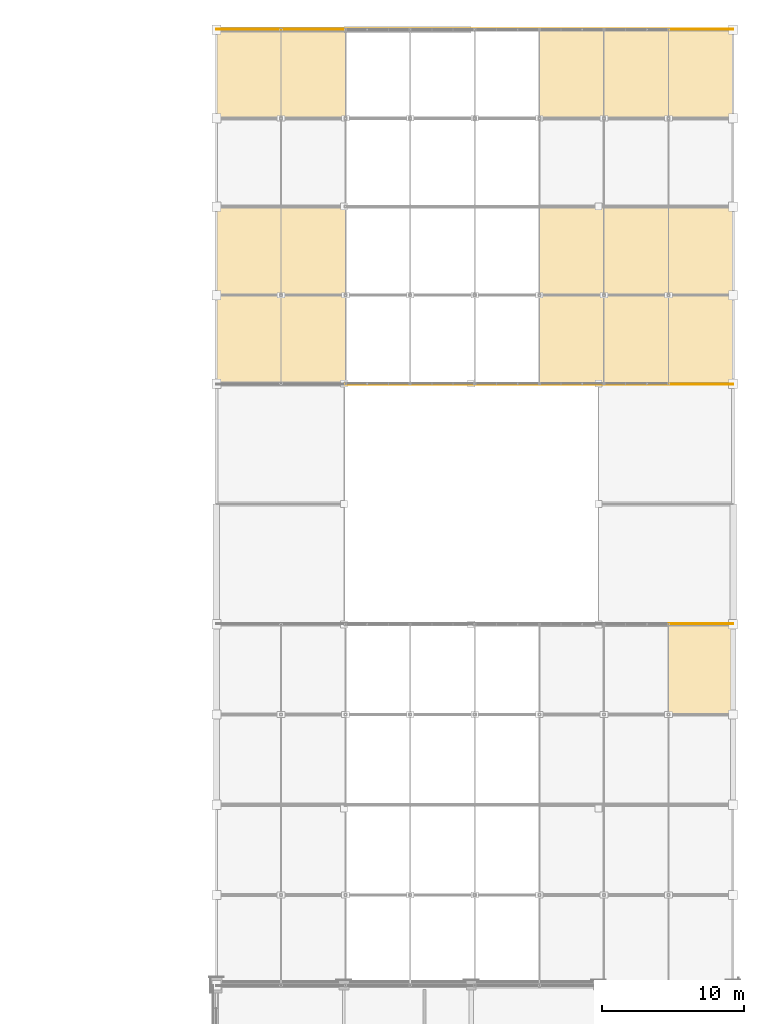
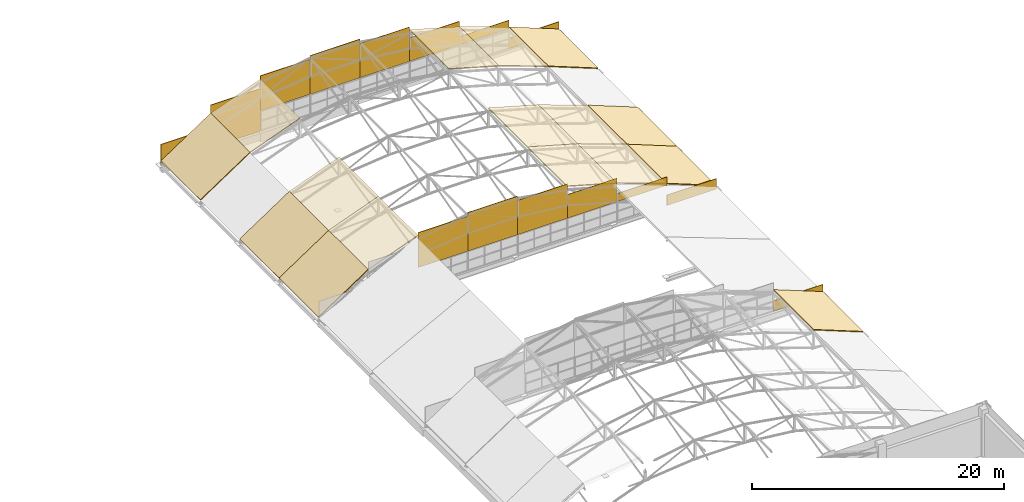
# One storey, part 101 of 101: 31 coverings.
"""IFC4 building model written with IfcOpenShell, lengths in metres."""

import ifcopenshell
import ifcopenshell.guid

model = None  # the IFC model being written
_history = None  # IfcOwnerHistory: only IFC2X3 demands one
_inside = {}  # id of a spatial element -> (the spatial element, [elements in it])
_under = {}  # id of a project, library or spatial element -> (it, [spatial elements below it])
_declared = {}  # id of a project -> (the project, [libraries it declares])
_typed = {}  # id of a type object -> (the type object, [elements of that type])
_made_of = {}  # id of a material, layer set ... -> (it, [elements and type objects made of it])


def new_model(schema):
    """Start an empty IFC model of exactly this schema.

    Asked for "IFC4X3", IfcOpenShell would pick the latest addendum, in which some entities
    have other attributes; the version numbers below select the first issue.
    IFC2X3 requires an IfcOwnerHistory on every rooted entity: one is made here for all.
    """
    global model, _history
    if schema == "IFC4X3":
        model = ifcopenshell.file(schema_version=(4, 3, 0, 0))
    else:
        model = ifcopenshell.file(schema=schema)
    _inside.clear()
    _under.clear()
    _declared.clear()
    _typed.clear()
    _made_of.clear()
    _history = None
    if model.schema == "IFC2X3":
        org = make("IfcOrganization", Name="unknown")
        user = make(
            "IfcPersonAndOrganization",
            ThePerson=make("IfcPerson", FamilyName="unknown"),
            TheOrganization=org,
        )
        app = make(
            "IfcApplication",
            ApplicationDeveloper=org,
            Version="unknown",
            ApplicationFullName="unknown",
            ApplicationIdentifier="unknown",
        )
        _history = make(
            "IfcOwnerHistory",
            OwningUser=user,
            OwningApplication=app,
            ChangeAction="ADDED",
            CreationDate=0,
        )
    return model


def make(cls, **values):
    """One entity of the class cls with the attributes given. An attribute that is None is left unset."""
    return model.create_entity(
        cls, **{name: value for name, value in values.items() if value is not None}
    )


def rooted(cls, **values):
    """An entity with a GlobalId (a new one), such as an element, a storey or a relation."""
    return make(cls, GlobalId=ifcopenshell.guid.new(), OwnerHistory=_history, **values)


def si_unit(unit_type, name, prefix=None):
    """IfcSIUnit, for example si_unit("LENGTHUNIT", "METRE", prefix="MILLI")."""
    return make("IfcSIUnit", UnitType=unit_type, Prefix=prefix, Name=name)


def assignment(units):
    """IfcUnitAssignment: the units of a project."""
    return None if units is None else make("IfcUnitAssignment", Units=units)


def point(xyz):
    """IfcCartesianPoint."""
    return None if xyz is None else make("IfcCartesianPoint", Coordinates=xyz)


def direction(xyz):
    """IfcDirection."""
    return None if xyz is None else make("IfcDirection", DirectionRatios=xyz)


def frame(location, z_axis=None, x_axis=None):
    """IfcAxis2Placement3D, a coordinate frame: its origin and axes. An axis left out is left unset."""
    return make(
        "IfcAxis2Placement3D",
        Location=point(location),
        Axis=direction(z_axis),
        RefDirection=direction(x_axis),
    )


def frame_2d(location, x_axis=None):
    """IfcAxis2Placement2D, a coordinate frame in the plane: its origin and x axis."""
    return make(
        "IfcAxis2Placement2D", Location=point(location), RefDirection=direction(x_axis)
    )


def origin():
    """The frame at (0, 0, 0) with its axes left unset."""
    return frame((0.0, 0.0, 0.0))


def origin_2d():
    """The frame at (0, 0) in the plane with its x axis left unset."""
    return frame_2d((0.0, 0.0))


def place(relative_to, where):
    """IfcLocalPlacement: puts the frame where relative to a parent placement (None: the world)."""
    return make(
        "IfcLocalPlacement", PlacementRelTo=relative_to, RelativePlacement=where
    )


def context(
    kind, dimensions, precision=None, world=None, true_north=None, identifier=None
):
    """IfcGeometricRepresentationContext, for example the 3D "Model" context."""
    return make(
        "IfcGeometricRepresentationContext",
        ContextIdentifier=identifier,
        ContextType=kind,
        CoordinateSpaceDimension=dimensions,
        Precision=precision,
        WorldCoordinateSystem=world,
        TrueNorth=true_north,
    )


def subcontext(parent, identifier, kind, view, scale=None):
    """IfcGeometricRepresentationSubContext, for example "Body" below "Model"."""
    return make(
        "IfcGeometricRepresentationSubContext",
        ContextIdentifier=identifier,
        ContextType=kind,
        ParentContext=parent,
        TargetScale=scale,
        TargetView=view,
    )


def project(units=None, contexts=None):
    """IfcProject with its units and contexts."""
    return rooted(
        "IfcProject",
        Name="project",
        RepresentationContexts=contexts,
        UnitsInContext=assignment(units),
    )


def spatial(cls, under=None, at=None, **own):
    """A site, building, storey or space (cls), placed at a placement, below another one or the project."""
    s = rooted(cls, ObjectPlacement=at, **own)
    if under is not None:
        _under.setdefault(under.id(), (under, []))[1].append(s)
    return s


def polyline(points):
    """IfcPolyline through the points."""
    return make("IfcPolyline", Points=[point(p) for p in points])


def profile(cls, at=None, kind="AREA", **sizes):
    """A parametric profile (cls). Its sizes go by their IFC names, for example OverallWidth=200.0."""
    return make(cls, ProfileType=kind, Position=at, **sizes)


def rectangle(**sizes):
    """IfcRectangleProfileDef."""
    return profile("IfcRectangleProfileDef", **sizes)


def outline(outer, holes=None, kind="AREA"):
    """IfcArbitraryClosedProfileDef: a profile drawn as a closed curve; with holes, ...WithVoids."""
    if holes is None:
        return make("IfcArbitraryClosedProfileDef", ProfileType=kind, OuterCurve=outer)
    return make(
        "IfcArbitraryProfileDefWithVoids",
        ProfileType=kind,
        OuterCurve=outer,
        InnerCurves=holes,
    )


def extrude(swept, where, along, depth):
    """IfcExtrudedAreaSolid: the profile swept, set in the frame where, extruded along a direction by depth."""
    return make(
        "IfcExtrudedAreaSolid",
        SweptArea=swept,
        Position=where,
        ExtrudedDirection=direction(along),
        Depth=depth,
    )


def shape(context_of_items, identifier, shape_type, items):
    """IfcShapeRepresentation: the items that make up one representation, for example the "Body"."""
    return make(
        "IfcShapeRepresentation",
        ContextOfItems=context_of_items,
        RepresentationIdentifier=identifier,
        RepresentationType=shape_type,
        Items=items,
    )


def material(Name=None, Category=None):
    """IfcMaterial."""
    return make("IfcMaterial", Name=Name, Category=Category)


def layer(
    of_material, thickness, ventilated=None, Name=None, Category=None, Priority=None
):
    """IfcMaterialLayer: one layer of a wall or slab, of a material (None: an air gap)."""
    return make(
        "IfcMaterialLayer",
        Material=of_material,
        LayerThickness=thickness,
        IsVentilated=ventilated,
        Name=Name,
        Category=Category,
        Priority=Priority,
    )


def layer_set(layers, Name=None):
    """IfcMaterialLayerSet."""
    return make("IfcMaterialLayerSet", MaterialLayers=layers, LayerSetName=Name)


def made_of(thing, what):
    """Note that an element or type object is made of a material, layer set ...; save() writes the relation."""
    if what is not None:
        _made_of.setdefault(what.id(), (what, []))[1].append(thing)
    return thing


def type_object(cls, material=None, **own):
    """A type object (cls), such as IfcWallType, which elements share."""
    return made_of(rooted(cls, **own), material)


def element(
    cls,
    number,
    at=None,
    inside=None,
    cuts=None,
    type_object=None,
    material=None,
    context=None,
    identifier="Body",
    shape_type=None,
    held_by="IfcProductDefinitionShape",
    body=None,
    shapes=None,
    **own,
):
    """One element of the class cls, such as IfcWall. Its Tag is "e" and its number.

    at: its placement. inside: the storey or other place that contains it. cuts: it is an
    opening in that element (IfcRelVoidsElement). A single representation is given by context,
    identifier, shape_type and body (its items); several are given by shapes. held_by: the class
    of the entity that holds the representations. save() writes the other relations.
    """
    e = rooted(cls, Tag="e%d" % number, ObjectPlacement=at, **own)
    if body is not None:
        shapes = [shape(context, identifier, shape_type, body)]
    if shapes is not None:
        e.Representation = make(held_by, Representations=shapes)
    if inside is not None:
        _inside.setdefault(inside.id(), (inside, []))[1].append(e)
    if cuts is not None:
        rooted(
            "IfcRelVoidsElement", RelatingBuildingElement=cuts, RelatedOpeningElement=e
        )
    if type_object is not None:
        _typed.setdefault(type_object.id(), (type_object, []))[1].append(e)
    return made_of(e, material)


def aggregate(whole, parts):
    """IfcRelAggregates: a whole, such as a stair, and the parts it consists of."""
    return rooted("IfcRelAggregates", RelatingObject=whole, RelatedObjects=parts)


def save(model, path):
    """Write the relations noted so far, then the file.

    IfcRelAggregates (storeys below a building ...), IfcRelContainedInSpatialStructure (elements
    in a storey), IfcRelDefinesByType, IfcRelAssociatesMaterial and IfcRelDeclares: one each for
    every whole, place, type object, material and project.
    """
    for whole, parts in _under.values():
        aggregate(whole, parts)
    for where, things in _inside.values():
        rooted(
            "IfcRelContainedInSpatialStructure",
            RelatedElements=things,
            RelatingStructure=where,
        )
    for kind, things in _typed.values():
        rooted("IfcRelDefinesByType", RelatedObjects=things, RelatingType=kind)
    for what, things in _made_of.values():
        rooted("IfcRelAssociatesMaterial", RelatedObjects=things, RelatingMaterial=what)
    for by, libraries in _declared.values():
        rooted("IfcRelDeclares", RelatingContext=by, RelatedDefinitions=libraries)
    model.write(path)


model = new_model("IFC4")

# Units and contexts
model_context = context("Model", 3, precision=1e-05, world=origin(), true_north=direction((0.0, 1.0)))
body_context = subcontext(model_context, "Body", "Model", "MODEL_VIEW")
ifc_project = project(units=[si_unit("LENGTHUNIT", "METRE"), si_unit("AREAUNIT", "SQUARE_METRE"), si_unit("VOLUMEUNIT", "CUBIC_METRE"), si_unit("PLANEANGLEUNIT", "RADIAN"), si_unit("MASSUNIT", "GRAM", prefix="KILO")], contexts=[model_context])

# Site, building, storey
site_placement = place(None, origin())
site = spatial("IfcSite", under=ifc_project, at=site_placement, CompositionType="ELEMENT")
building_placement = place(site_placement, origin())
building = spatial("IfcBuilding", under=site, at=building_placement, Name="Solvikara Media Centre", CompositionType="ELEMENT")
storey_placement = place(building_placement, frame((0.0, 0.0, 10.199951171875)))
storey = spatial("IfcBuildingStorey", under=building, at=storey_placement, Name="L02", CompositionType="ELEMENT", Elevation=10.199951171875)

# Coverings
ifc_material_1 = material(Name="Insulated standing-seam aluminium-zinc acoustic roofing", Category="aluminium")
ifc_layer_1 = layer(ifc_material_1, 0.080078125)
ifc_layer_set_1 = layer_set([ifc_layer_1], Name="Insulated standing-seam aluminium-zinc acoustic roofing")
covering_type_1 = type_object("IfcCoveringType", Name="CV-03", PredefinedType="ROOFING", material=ifc_layer_set_1)
covering_1_placement = place(storey_placement, frame((159.43798828125, 65.625, 2.072021484375), z_axis=(0.365612303173, 0.0, 0.930767233936), x_axis=(0.930767233936, 0.0, -0.365612303173)))
element("IfcCovering", 1, at=covering_1_placement, inside=storey, type_object=covering_type_1, Name="CV-BSA-03-07", PredefinedType="ROOFING", context=body_context, shape_type="SweptSolid", body=[
    extrude(outline(polyline([(0.0, 0.0), (4.901345419583624, 0.0), (4.901345419583624, 6.375), (0.0, 6.375), (0.0, 0.0)])), origin(), (0.0, 0.0, -1.0), 0.080078125),
])
covering_2_placement = place(storey_placement, frame((127.5, 89.0, 0.280029296875), z_axis=(-0.552774199912, 0.0, 0.833331077011), x_axis=(0.833331077011, 0.0, 0.552774199912)))
element("IfcCovering", 2, at=covering_2_placement, inside=storey, type_object=covering_type_1, Name="CV-BSB-00-00", PredefinedType="ROOFING", context=body_context, shape_type="SweptSolid", body=[
    extrude(outline(polyline([(0.0, 0.0), (5.474428884992513, 0.0), (5.474428884992513, 6.250000000000002), (0.0, 6.250000000000002), (0.0, 0.0)])), origin(), (0.0, 0.0, -1.0), 0.080078125),
])
covering_3_placement = place(storey_placement, frame((132.06201171875, 89.0, 3.30615234375), z_axis=(-0.350914788699, 0.0, 0.936407395887), x_axis=(0.936407395887, 0.0, 0.350914788699)))
element("IfcCovering", 3, at=covering_3_placement, inside=storey, type_object=covering_type_1, Name="CV-BSB-00-01", PredefinedType="ROOFING", context=body_context, shape_type="SweptSolid", body=[
    extrude(outline(polyline([(0.0, 0.0), (4.872866554975697, 0.0), (4.872866554975697, 6.25), (0.0, 6.25), (0.0, 0.0)])), origin(), (0.0, 0.0, -1.0), 0.080078125),
])
covering_4_placement = place(storey_placement, frame((150.31201171875, 89.0, 5.007080078125), z_axis=(0.272626398556, 0.0, 0.962119975268), x_axis=(0.962119975268, 0.0, -0.272626398556)))
element("IfcCovering", 4, at=covering_4_placement, inside=storey, type_object=covering_type_1, Name="CV-BSB-00-05", PredefinedType="ROOFING", context=body_context, shape_type="SweptSolid", body=[
    extrude(outline(polyline([(0.0, 0.0), (4.7426395860640085, 0.0), (4.7426395860640085, 6.25), (0.0, 6.25), (0.0, 0.0)])), origin(), (0.0, 0.0, -1.0), 0.080078125),
])
covering_5_placement = place(storey_placement, frame((154.875, 89.0, 3.714111328125), z_axis=(0.338612503303, 0.0, 0.94092591239), x_axis=(0.94092591239, 0.0, -0.338612503303)))
element("IfcCovering", 5, at=covering_5_placement, inside=storey, type_object=covering_type_1, Name="CV-BSB-00-06", PredefinedType="ROOFING", context=body_context, shape_type="SweptSolid", body=[
    extrude(outline(polyline([(0.0, 0.0), (4.849466064400464, 0.0), (4.849466064400464, 6.25), (0.0, 6.25), (0.0, 0.0)])), origin(), (0.0, 0.0, -1.0), 0.080078125),
])
covering_6_placement = place(storey_placement, frame((159.43798828125, 89.0, 2.072021484375), z_axis=(0.365612303173, 0.0, 0.930767233936), x_axis=(0.930767233936, 0.0, -0.365612303173)))
element("IfcCovering", 6, at=covering_6_placement, inside=storey, type_object=covering_type_1, Name="CV-BSB-00-07", PredefinedType="ROOFING", context=body_context, shape_type="SweptSolid", body=[
    extrude(outline(polyline([(0.0, 0.0), (4.901345419583624, 0.0), (4.901345419583624, 6.25), (0.0, 6.25), (0.0, 0.0)])), origin(), (0.0, 0.0, -1.0), 0.080078125),
])
covering_7_placement = place(storey_placement, frame((127.5, 95.25, 0.280029296875), z_axis=(-0.552774199912, 0.0, 0.833331077011), x_axis=(0.833331077011, 0.0, 0.552774199912)))
element("IfcCovering", 7, at=covering_7_placement, inside=storey, type_object=covering_type_1, Name="CV-BSB-01-00", PredefinedType="ROOFING", context=body_context, shape_type="SweptSolid", body=[
    extrude(outline(polyline([(0.0, 0.0), (5.474428884992513, 0.0), (5.474428884992513, 6.250000000000002), (0.0, 6.250000000000002), (0.0, 0.0)])), origin(), (0.0, 0.0, -1.0), 0.080078125),
])
covering_8_placement = place(storey_placement, frame((132.06201171875, 95.25, 3.30615234375), z_axis=(-0.350914788699, 0.0, 0.936407395887), x_axis=(0.936407395887, 0.0, 0.350914788699)))
element("IfcCovering", 8, at=covering_8_placement, inside=storey, type_object=covering_type_1, Name="CV-BSB-01-01", PredefinedType="ROOFING", context=body_context, shape_type="SweptSolid", body=[
    extrude(outline(polyline([(0.0, 0.0), (4.872866554975697, 0.0), (4.872866554975697, 6.25), (0.0, 6.25), (0.0, 0.0)])), origin(), (0.0, 0.0, -1.0), 0.080078125),
])
covering_9_placement = place(storey_placement, frame((150.31201171875, 95.25, 5.007080078125), z_axis=(0.272626398556, 0.0, 0.962119975268), x_axis=(0.962119975268, 0.0, -0.272626398556)))
element("IfcCovering", 9, at=covering_9_placement, inside=storey, type_object=covering_type_1, Name="CV-BSB-01-05", PredefinedType="ROOFING", context=body_context, shape_type="SweptSolid", body=[
    extrude(outline(polyline([(0.0, 0.0), (4.7426395860640085, 0.0), (4.7426395860640085, 6.25), (0.0, 6.25), (0.0, 0.0)])), origin(), (0.0, 0.0, -1.0), 0.080078125),
])
covering_10_placement = place(storey_placement, frame((154.875, 95.25, 3.714111328125), z_axis=(0.338612503303, 0.0, 0.94092591239), x_axis=(0.94092591239, 0.0, -0.338612503303)))
element("IfcCovering", 10, at=covering_10_placement, inside=storey, type_object=covering_type_1, Name="CV-BSB-01-06", PredefinedType="ROOFING", context=body_context, shape_type="SweptSolid", body=[
    extrude(outline(polyline([(0.0, 0.0), (4.849466064400464, 0.0), (4.849466064400464, 6.25), (0.0, 6.25), (0.0, 0.0)])), origin(), (0.0, 0.0, -1.0), 0.080078125),
])
covering_11_placement = place(storey_placement, frame((159.43798828125, 95.25, 2.072021484375), z_axis=(0.365612303173, 0.0, 0.930767233936), x_axis=(0.930767233936, 0.0, -0.365612303173)))
element("IfcCovering", 11, at=covering_11_placement, inside=storey, type_object=covering_type_1, Name="CV-BSB-01-07", PredefinedType="ROOFING", context=body_context, shape_type="SweptSolid", body=[
    extrude(outline(polyline([(0.0, 0.0), (4.901345419583624, 0.0), (4.901345419583624, 6.25), (0.0, 6.25), (0.0, 0.0)])), origin(), (0.0, 0.0, -1.0), 0.080078125),
])
covering_12_placement = place(storey_placement, frame((127.5, 107.75, 0.280029296875), z_axis=(-0.552774199912, 0.0, 0.833331077011), x_axis=(0.833331077011, 0.0, 0.552774199912)))
element("IfcCovering", 12, at=covering_12_placement, inside=storey, type_object=covering_type_1, Name="CV-BSB-03-00", PredefinedType="ROOFING", context=body_context, shape_type="SweptSolid", body=[
    extrude(outline(polyline([(0.0, 0.0), (5.474428884992513, 0.0), (5.474428884992513, 6.250000000000002), (0.0, 6.250000000000002), (0.0, 0.0)])), origin(), (0.0, 0.0, -1.0), 0.080078125),
])
covering_13_placement = place(storey_placement, frame((132.06201171875, 107.75, 3.30615234375), z_axis=(-0.350914788699, 0.0, 0.936407395887), x_axis=(0.936407395887, 0.0, 0.350914788699)))
element("IfcCovering", 13, at=covering_13_placement, inside=storey, type_object=covering_type_1, Name="CV-BSB-03-01", PredefinedType="ROOFING", context=body_context, shape_type="SweptSolid", body=[
    extrude(outline(polyline([(0.0, 0.0), (4.872866554975697, 0.0), (4.872866554975697, 6.25), (0.0, 6.25), (0.0, 0.0)])), origin(), (0.0, 0.0, -1.0), 0.080078125),
])
covering_14_placement = place(storey_placement, frame((150.31201171875, 107.75, 5.007080078125), z_axis=(0.272626398556, 0.0, 0.962119975268), x_axis=(0.962119975268, 0.0, -0.272626398556)))
element("IfcCovering", 14, at=covering_14_placement, inside=storey, type_object=covering_type_1, Name="CV-BSB-03-05", PredefinedType="ROOFING", context=body_context, shape_type="SweptSolid", body=[
    extrude(outline(polyline([(0.0, 0.0), (4.7426395860640085, 0.0), (4.7426395860640085, 6.25), (0.0, 6.25), (0.0, 0.0)])), origin(), (0.0, 0.0, -1.0), 0.080078125),
])
covering_15_placement = place(storey_placement, frame((154.875, 107.75, 3.714111328125), z_axis=(0.338612503303, 0.0, 0.94092591239), x_axis=(0.94092591239, 0.0, -0.338612503303)))
element("IfcCovering", 15, at=covering_15_placement, inside=storey, type_object=covering_type_1, Name="CV-BSB-03-06", PredefinedType="ROOFING", context=body_context, shape_type="SweptSolid", body=[
    extrude(outline(polyline([(0.0, 0.0), (4.849466064400464, 0.0), (4.849466064400464, 6.25), (0.0, 6.25), (0.0, 0.0)])), origin(), (0.0, 0.0, -1.0), 0.080078125),
])
covering_16_placement = place(storey_placement, frame((159.43798828125, 107.75, 2.072021484375), z_axis=(0.365612303173, 0.0, 0.930767233936), x_axis=(0.930767233936, 0.0, -0.365612303173)))
element("IfcCovering", 16, at=covering_16_placement, inside=storey, type_object=covering_type_1, Name="CV-BSB-03-07", PredefinedType="ROOFING", context=body_context, shape_type="SweptSolid", body=[
    extrude(outline(polyline([(0.0, 0.0), (4.901345419583624, 0.0), (4.901345419583624, 6.25), (0.0, 6.25), (0.0, 0.0)])), origin(), (0.0, 0.0, -1.0), 0.080078125),
])
ifc_material_2 = material(Name="GFRC white mineral architectural rainscreen panel")
ifc_layer_2 = layer(ifc_material_2, 0.050048828125)
ifc_layer_set_2 = layer_set([ifc_layer_2], Name="GFRC white mineral architectural rainscreen panel")
covering_type_2 = type_object("IfcCoveringType", Name="CV-04", PredefinedType="CLADDING", material=ifc_layer_set_2)
covering_17_placement = place(storey_placement, frame((161.718994140625, 72.0400390625, -0.04931640625), z_axis=(0.0, 0.0, 1.0), x_axis=(1.0, 0.0, 0.0)))
element("IfcCovering", 17, at=covering_17_placement, inside=storey, type_object=covering_type_2, Name="TYM-BSAN-07", PredefinedType="CLADDING", context=body_context, shape_type="SweptSolid", body=[
    extrude(rectangle(XDim=4.56201171875, YDim=0.050048828125, at=origin_2d()), origin(), (0.0, 0.0, 1.0), 1.012939453125),
])
covering_18_placement = place(storey_placement, frame((138.906005859375, 88.9599609375, 1.920166015625), z_axis=(0.0, 0.0, 1.0), x_axis=(1.0, 0.0, 0.0)))
element("IfcCovering", 18, at=covering_18_placement, inside=storey, type_object=covering_type_2, Name="TYM-BSBS-02", PredefinedType="CLADDING", context=body_context, shape_type="SweptSolid", body=[
    extrude(rectangle(XDim=4.56298828125, YDim=0.050048828125, at=origin_2d()), origin(), (0.0, 0.0, 1.0), 3.3798828125),
])
covering_19_placement = place(storey_placement, frame((143.468994140625, 88.9599609375, 1.919921875), z_axis=(0.0, 0.0, 1.0), x_axis=(1.0, 0.0, 0.0)))
element("IfcCovering", 19, at=covering_19_placement, inside=storey, type_object=covering_type_2, Name="TYM-BSBS-03", PredefinedType="CLADDING", context=body_context, shape_type="SweptSolid", body=[
    extrude(rectangle(XDim=4.56201171875, YDim=0.050048828125, at=origin_2d()), origin(), (0.0, 0.0, 1.0), 3.738037109375),
])
covering_20_placement = place(storey_placement, frame((148.031005859375, 88.9599609375, 1.91943359375), z_axis=(0.0, 0.0, 1.0), x_axis=(1.0, 0.0, 0.0)))
element("IfcCovering", 20, at=covering_20_placement, inside=storey, type_object=covering_type_2, Name="TYM-BSBS-04", PredefinedType="CLADDING", context=body_context, shape_type="SweptSolid", body=[
    extrude(rectangle(XDim=4.56201171875, YDim=0.050048828125, at=origin_2d()), origin(), (0.0, 0.0, 1.0), 3.321044921875),
])
covering_21_placement = place(storey_placement, frame((152.593994140625, 88.9599609375, 1.920166015625), z_axis=(0.0, 0.0, 1.0), x_axis=(1.0, 0.0, 0.0)))
element("IfcCovering", 21, at=covering_21_placement, inside=storey, type_object=covering_type_2, Name="TYM-BSBS-05", PredefinedType="CLADDING", context=body_context, shape_type="SweptSolid", body=[
    extrude(rectangle(XDim=4.56298828125, YDim=0.050048828125, at=origin_2d()), origin(), (0.0, 0.0, 1.0), 2.27587890625),
])
covering_22_placement = place(storey_placement, frame((157.156005859375, 88.9599609375, 1.91943359375), z_axis=(0.0, 0.0, 1.0), x_axis=(1.0, 0.0, 0.0)))
element("IfcCovering", 22, at=covering_22_placement, inside=storey, type_object=covering_type_2, Name="TYM-BSBS-06", PredefinedType="CLADDING", context=body_context, shape_type="SweptSolid", body=[
    extrude(rectangle(XDim=4.56298828125, YDim=0.050048828125, at=origin_2d()), origin(), (0.0, 0.0, 1.0), 0.784912109375),
])
covering_23_placement = place(storey_placement, frame((161.718994140625, 88.9599609375, -0.04931640625), z_axis=(0.0, 0.0, 1.0), x_axis=(1.0, 0.0, 0.0)))
element("IfcCovering", 23, at=covering_23_placement, inside=storey, type_object=covering_type_2, Name="TYM-BSBS-07", PredefinedType="CLADDING", context=body_context, shape_type="SweptSolid", body=[
    extrude(rectangle(XDim=4.56201171875, YDim=0.050048828125, at=origin_2d()), origin(), (0.0, 0.0, 1.0), 1.012939453125),
])
covering_24_placement = place(storey_placement, frame((129.781005859375, 114.0400390625, -0.0498046875), z_axis=(0.0, 0.0, 1.0), x_axis=(1.0, 0.0, 0.0)))
element("IfcCovering", 24, at=covering_24_placement, inside=storey, type_object=covering_type_2, Name="TYM-BSBN-00", PredefinedType="CLADDING", context=body_context, shape_type="SweptSolid", body=[
    extrude(rectangle(XDim=4.56201171875, YDim=0.050048828125, at=origin_2d()), origin(), (0.0, 0.0, 1.0), 1.889892578125),
])
covering_25_placement = place(storey_placement, frame((134.343994140625, 114.0400390625, -0.0498046875), z_axis=(0.0, 0.0, 1.0), x_axis=(1.0, 0.0, 0.0)))
element("IfcCovering", 25, at=covering_25_placement, inside=storey, type_object=covering_type_2, Name="TYM-BSBN-01", PredefinedType="CLADDING", context=body_context, shape_type="SweptSolid", body=[
    extrude(rectangle(XDim=4.56298828125, YDim=0.050048828125, at=origin_2d()), origin(), (0.0, 0.0, 1.0), 4.112060546875),
])
covering_26_placement = place(storey_placement, frame((138.906005859375, 114.0400390625, 1.920166015625), z_axis=(0.0, 0.0, 1.0), x_axis=(1.0, 0.0, 0.0)))
element("IfcCovering", 26, at=covering_26_placement, inside=storey, type_object=covering_type_2, Name="TYM-BSBN-02", PredefinedType="CLADDING", context=body_context, shape_type="SweptSolid", body=[
    extrude(rectangle(XDim=4.56298828125, YDim=0.050048828125, at=origin_2d()), origin(), (0.0, 0.0, 1.0), 3.3798828125),
])
covering_27_placement = place(storey_placement, frame((143.468994140625, 114.0400390625, 1.919921875), z_axis=(0.0, 0.0, 1.0), x_axis=(1.0, 0.0, 0.0)))
element("IfcCovering", 27, at=covering_27_placement, inside=storey, type_object=covering_type_2, Name="TYM-BSBN-03", PredefinedType="CLADDING", context=body_context, shape_type="SweptSolid", body=[
    extrude(rectangle(XDim=4.56201171875, YDim=0.050048828125, at=origin_2d()), origin(), (0.0, 0.0, 1.0), 3.738037109375),
])
covering_28_placement = place(storey_placement, frame((148.031005859375, 114.0400390625, 1.91943359375), z_axis=(0.0, 0.0, 1.0), x_axis=(1.0, 0.0, 0.0)))
element("IfcCovering", 28, at=covering_28_placement, inside=storey, type_object=covering_type_2, Name="TYM-BSBN-04", PredefinedType="CLADDING", context=body_context, shape_type="SweptSolid", body=[
    extrude(rectangle(XDim=4.56201171875, YDim=0.050048828125, at=origin_2d()), origin(), (0.0, 0.0, 1.0), 3.321044921875),
])
covering_29_placement = place(storey_placement, frame((152.593994140625, 114.0400390625, 1.920166015625), z_axis=(0.0, 0.0, 1.0), x_axis=(1.0, 0.0, 0.0)))
element("IfcCovering", 29, at=covering_29_placement, inside=storey, type_object=covering_type_2, Name="TYM-BSBN-05", PredefinedType="CLADDING", context=body_context, shape_type="SweptSolid", body=[
    extrude(rectangle(XDim=4.56298828125, YDim=0.050048828125, at=origin_2d()), origin(), (0.0, 0.0, 1.0), 2.27587890625),
])
covering_30_placement = place(storey_placement, frame((157.156005859375, 114.0400390625, 1.91943359375), z_axis=(0.0, 0.0, 1.0), x_axis=(1.0, 0.0, 0.0)))
element("IfcCovering", 30, at=covering_30_placement, inside=storey, type_object=covering_type_2, Name="TYM-BSBN-06", PredefinedType="CLADDING", context=body_context, shape_type="SweptSolid", body=[
    extrude(rectangle(XDim=4.56298828125, YDim=0.050048828125, at=origin_2d()), origin(), (0.0, 0.0, 1.0), 0.784912109375),
])
covering_31_placement = place(storey_placement, frame((161.718994140625, 114.0400390625, -0.04931640625), z_axis=(0.0, 0.0, 1.0), x_axis=(1.0, 0.0, 0.0)))
element("IfcCovering", 31, at=covering_31_placement, inside=storey, type_object=covering_type_2, Name="TYM-BSBN-07", PredefinedType="CLADDING", context=body_context, shape_type="SweptSolid", body=[
    extrude(rectangle(XDim=4.56201171875, YDim=0.050048828125, at=origin_2d()), origin(), (0.0, 0.0, 1.0), 1.012939453125),
])

save(model, "model.ifc")
